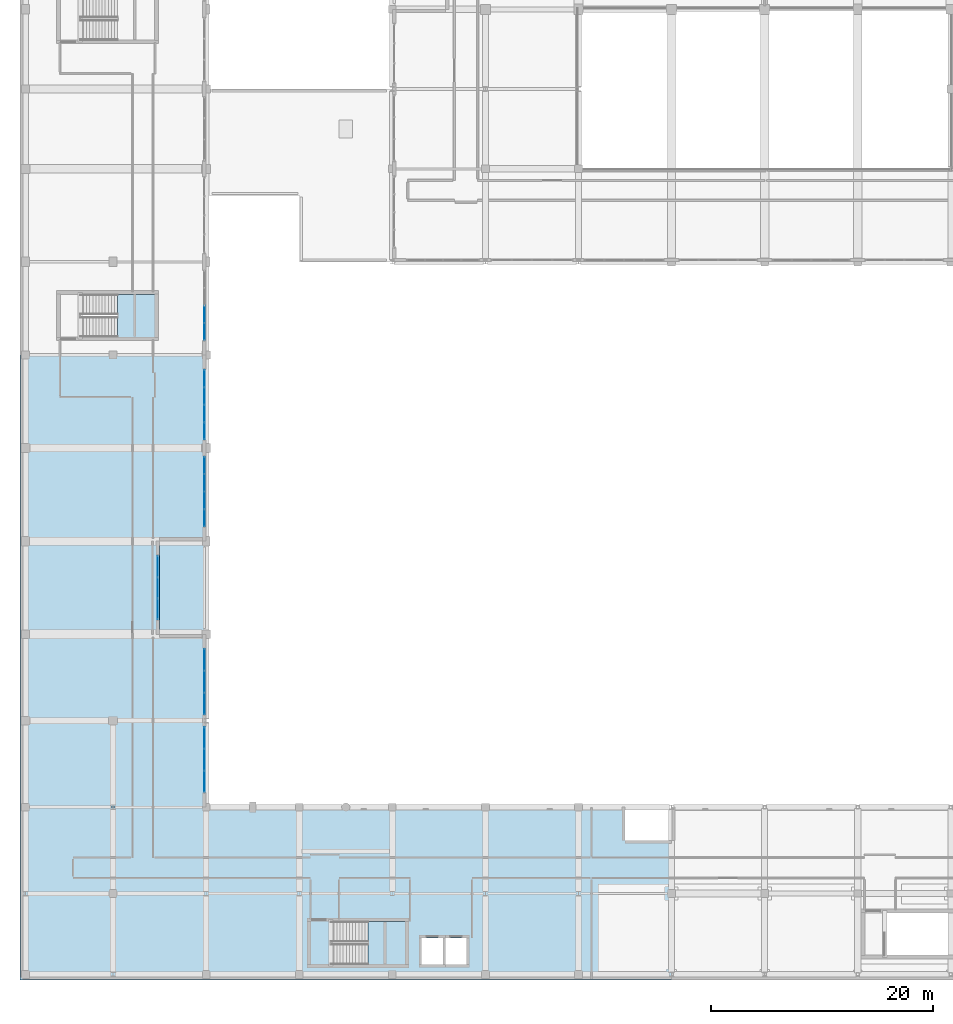
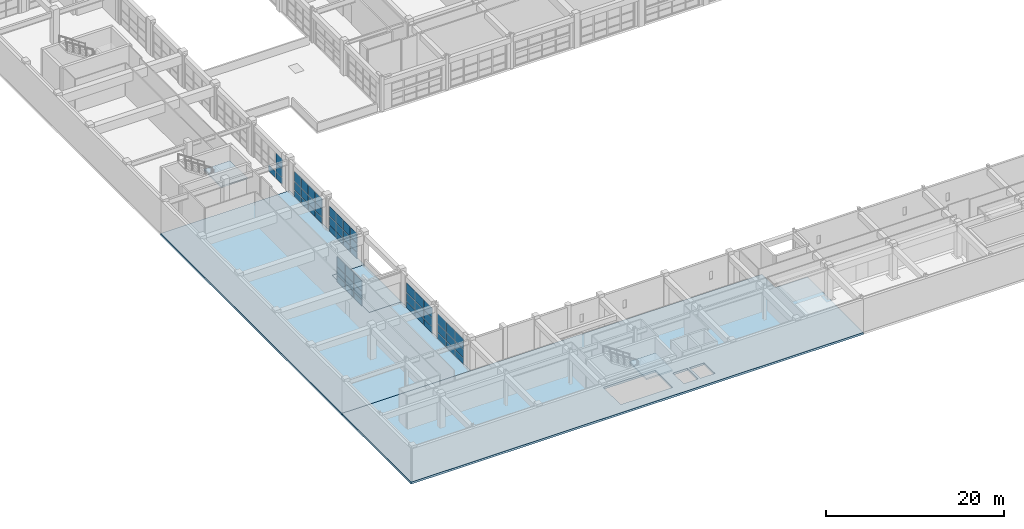
# One storey, part 89 of 123: 55 plates, 5 slabs, 8 elements without a shape of their own.
"""IFC4 building model written with IfcOpenShell, lengths in metres."""

import ifcopenshell
import ifcopenshell.guid

model = None  # the IFC model being written
_history = None  # IfcOwnerHistory: only IFC2X3 demands one
_inside = {}  # id of a spatial element -> (the spatial element, [elements in it])
_under = {}  # id of a project, library or spatial element -> (it, [spatial elements below it])
_declared = {}  # id of a project -> (the project, [libraries it declares])
_typed = {}  # id of a type object -> (the type object, [elements of that type])
_made_of = {}  # id of a material, layer set ... -> (it, [elements and type objects made of it])


def new_model(schema):
    """Start an empty IFC model of exactly this schema.

    Asked for "IFC4X3", IfcOpenShell would pick the latest addendum, in which some entities
    have other attributes; the version numbers below select the first issue.
    IFC2X3 requires an IfcOwnerHistory on every rooted entity: one is made here for all.
    """
    global model, _history
    if schema == "IFC4X3":
        model = ifcopenshell.file(schema_version=(4, 3, 0, 0))
    else:
        model = ifcopenshell.file(schema=schema)
    _inside.clear()
    _under.clear()
    _declared.clear()
    _typed.clear()
    _made_of.clear()
    _history = None
    if model.schema == "IFC2X3":
        org = make("IfcOrganization", Name="unknown")
        user = make(
            "IfcPersonAndOrganization",
            ThePerson=make("IfcPerson", FamilyName="unknown"),
            TheOrganization=org,
        )
        app = make(
            "IfcApplication",
            ApplicationDeveloper=org,
            Version="unknown",
            ApplicationFullName="unknown",
            ApplicationIdentifier="unknown",
        )
        _history = make(
            "IfcOwnerHistory",
            OwningUser=user,
            OwningApplication=app,
            ChangeAction="ADDED",
            CreationDate=0,
        )
    return model


def make(cls, **values):
    """One entity of the class cls with the attributes given. An attribute that is None is left unset."""
    return model.create_entity(
        cls, **{name: value for name, value in values.items() if value is not None}
    )


def rooted(cls, **values):
    """An entity with a GlobalId (a new one), such as an element, a storey or a relation."""
    return make(cls, GlobalId=ifcopenshell.guid.new(), OwnerHistory=_history, **values)


def si_unit(unit_type, name, prefix=None):
    """IfcSIUnit, for example si_unit("LENGTHUNIT", "METRE", prefix="MILLI")."""
    return make("IfcSIUnit", UnitType=unit_type, Prefix=prefix, Name=name)


def assignment(units):
    """IfcUnitAssignment: the units of a project."""
    return None if units is None else make("IfcUnitAssignment", Units=units)


def point(xyz):
    """IfcCartesianPoint."""
    return None if xyz is None else make("IfcCartesianPoint", Coordinates=xyz)


def direction(xyz):
    """IfcDirection."""
    return None if xyz is None else make("IfcDirection", DirectionRatios=xyz)


def frame(location, z_axis=None, x_axis=None):
    """IfcAxis2Placement3D, a coordinate frame: its origin and axes. An axis left out is left unset."""
    return make(
        "IfcAxis2Placement3D",
        Location=point(location),
        Axis=direction(z_axis),
        RefDirection=direction(x_axis),
    )


def frame_2d(location, x_axis=None):
    """IfcAxis2Placement2D, a coordinate frame in the plane: its origin and x axis."""
    return make(
        "IfcAxis2Placement2D", Location=point(location), RefDirection=direction(x_axis)
    )


def origin():
    """The frame at (0, 0, 0) with its axes left unset."""
    return frame((0.0, 0.0, 0.0))


def origin_2d():
    """The frame at (0, 0) in the plane with its x axis left unset."""
    return frame_2d((0.0, 0.0))


def place(relative_to, where):
    """IfcLocalPlacement: puts the frame where relative to a parent placement (None: the world)."""
    return make(
        "IfcLocalPlacement", PlacementRelTo=relative_to, RelativePlacement=where
    )


def context(
    kind, dimensions, precision=None, world=None, true_north=None, identifier=None
):
    """IfcGeometricRepresentationContext, for example the 3D "Model" context."""
    return make(
        "IfcGeometricRepresentationContext",
        ContextIdentifier=identifier,
        ContextType=kind,
        CoordinateSpaceDimension=dimensions,
        Precision=precision,
        WorldCoordinateSystem=world,
        TrueNorth=true_north,
    )


def subcontext(parent, identifier, kind, view, scale=None):
    """IfcGeometricRepresentationSubContext, for example "Body" below "Model"."""
    return make(
        "IfcGeometricRepresentationSubContext",
        ContextIdentifier=identifier,
        ContextType=kind,
        ParentContext=parent,
        TargetScale=scale,
        TargetView=view,
    )


def project(units=None, contexts=None):
    """IfcProject with its units and contexts."""
    return rooted(
        "IfcProject",
        Name="project",
        RepresentationContexts=contexts,
        UnitsInContext=assignment(units),
    )


def spatial(cls, under=None, at=None, **own):
    """A site, building, storey or space (cls), placed at a placement, below another one or the project."""
    s = rooted(cls, ObjectPlacement=at, **own)
    if under is not None:
        _under.setdefault(under.id(), (under, []))[1].append(s)
    return s


def polyline(points):
    """IfcPolyline through the points."""
    return make("IfcPolyline", Points=[point(p) for p in points])


def profile(cls, at=None, kind="AREA", **sizes):
    """A parametric profile (cls). Its sizes go by their IFC names, for example OverallWidth=200.0."""
    return make(cls, ProfileType=kind, Position=at, **sizes)


def rectangle(**sizes):
    """IfcRectangleProfileDef."""
    return profile("IfcRectangleProfileDef", **sizes)


def outline(outer, holes=None, kind="AREA"):
    """IfcArbitraryClosedProfileDef: a profile drawn as a closed curve; with holes, ...WithVoids."""
    if holes is None:
        return make("IfcArbitraryClosedProfileDef", ProfileType=kind, OuterCurve=outer)
    return make(
        "IfcArbitraryProfileDefWithVoids",
        ProfileType=kind,
        OuterCurve=outer,
        InnerCurves=holes,
    )


def extrude(swept, where, along, depth):
    """IfcExtrudedAreaSolid: the profile swept, set in the frame where, extruded along a direction by depth."""
    return make(
        "IfcExtrudedAreaSolid",
        SweptArea=swept,
        Position=where,
        ExtrudedDirection=direction(along),
        Depth=depth,
    )


def shape(context_of_items, identifier, shape_type, items):
    """IfcShapeRepresentation: the items that make up one representation, for example the "Body"."""
    return make(
        "IfcShapeRepresentation",
        ContextOfItems=context_of_items,
        RepresentationIdentifier=identifier,
        RepresentationType=shape_type,
        Items=items,
    )


def material(Name=None, Category=None):
    """IfcMaterial."""
    return make("IfcMaterial", Name=Name, Category=Category)


def layer(
    of_material, thickness, ventilated=None, Name=None, Category=None, Priority=None
):
    """IfcMaterialLayer: one layer of a wall or slab, of a material (None: an air gap)."""
    return make(
        "IfcMaterialLayer",
        Material=of_material,
        LayerThickness=thickness,
        IsVentilated=ventilated,
        Name=Name,
        Category=Category,
        Priority=Priority,
    )


def layer_set(layers, Name=None):
    """IfcMaterialLayerSet."""
    return make("IfcMaterialLayerSet", MaterialLayers=layers, LayerSetName=Name)


def made_of(thing, what):
    """Note that an element or type object is made of a material, layer set ...; save() writes the relation."""
    if what is not None:
        _made_of.setdefault(what.id(), (what, []))[1].append(thing)
    return thing


def type_object(cls, material=None, **own):
    """A type object (cls), such as IfcWallType, which elements share."""
    return made_of(rooted(cls, **own), material)


def element(
    cls,
    number,
    at=None,
    inside=None,
    cuts=None,
    type_object=None,
    material=None,
    context=None,
    identifier="Body",
    shape_type=None,
    held_by="IfcProductDefinitionShape",
    body=None,
    shapes=None,
    **own,
):
    """One element of the class cls, such as IfcWall. Its Tag is "e" and its number.

    at: its placement. inside: the storey or other place that contains it. cuts: it is an
    opening in that element (IfcRelVoidsElement). A single representation is given by context,
    identifier, shape_type and body (its items); several are given by shapes. held_by: the class
    of the entity that holds the representations. save() writes the other relations.
    """
    e = rooted(cls, Tag="e%d" % number, ObjectPlacement=at, **own)
    if body is not None:
        shapes = [shape(context, identifier, shape_type, body)]
    if shapes is not None:
        e.Representation = make(held_by, Representations=shapes)
    if inside is not None:
        _inside.setdefault(inside.id(), (inside, []))[1].append(e)
    if cuts is not None:
        rooted(
            "IfcRelVoidsElement", RelatingBuildingElement=cuts, RelatedOpeningElement=e
        )
    if type_object is not None:
        _typed.setdefault(type_object.id(), (type_object, []))[1].append(e)
    return made_of(e, material)


def aggregate(whole, parts):
    """IfcRelAggregates: a whole, such as a stair, and the parts it consists of."""
    return rooted("IfcRelAggregates", RelatingObject=whole, RelatedObjects=parts)


def save(model, path):
    """Write the relations noted so far, then the file.

    IfcRelAggregates (storeys below a building ...), IfcRelContainedInSpatialStructure (elements
    in a storey), IfcRelDefinesByType, IfcRelAssociatesMaterial and IfcRelDeclares: one each for
    every whole, place, type object, material and project.
    """
    for whole, parts in _under.values():
        aggregate(whole, parts)
    for where, things in _inside.values():
        rooted(
            "IfcRelContainedInSpatialStructure",
            RelatedElements=things,
            RelatingStructure=where,
        )
    for kind, things in _typed.values():
        rooted("IfcRelDefinesByType", RelatedObjects=things, RelatingType=kind)
    for what, things in _made_of.values():
        rooted("IfcRelAssociatesMaterial", RelatedObjects=things, RelatingMaterial=what)
    for by, libraries in _declared.values():
        rooted("IfcRelDeclares", RelatingContext=by, RelatedDefinitions=libraries)
    model.write(path)


model = new_model("IFC4")

# Units and contexts
model_context = context("Model", 3, precision=1e-05, world=origin(), true_north=direction((0.0, 1.0)))
body_context = subcontext(model_context, "Body", "Model", "MODEL_VIEW")
ifc_project = project(units=[si_unit("LENGTHUNIT", "METRE"), si_unit("AREAUNIT", "SQUARE_METRE"), si_unit("VOLUMEUNIT", "CUBIC_METRE"), si_unit("PLANEANGLEUNIT", "RADIAN"), si_unit("MASSUNIT", "GRAM", prefix="KILO")], contexts=[model_context])

# Site, building, storey
site_placement = place(None, origin())
site = spatial("IfcSite", under=ifc_project, at=site_placement, CompositionType="ELEMENT")
building_placement = place(site_placement, origin())
building = spatial("IfcBuilding", under=site, at=building_placement, Name="Quendrovan Civic Courthouse", CompositionType="ELEMENT")
storey_placement = place(building_placement, frame((0.0, 0.0, 5.39990234375)))
storey = spatial("IfcBuildingStorey", under=building, at=storey_placement, Name="L02", CompositionType="ELEMENT", Elevation=5.39990234375)

# Curtain wall, plates
ifc_material_1 = material(Name="Bronze anodised aluminium and low-E glass", Category="aluminium")
ifc_layer_1 = layer(ifc_material_1, 0.179931640625, Name="Bronze anodised aluminium and low-E glass")
ifc_layer_set_1 = layer_set([ifc_layer_1], Name="Bronze anodised aluminium and low-E glass")
curtain_wall_type_1 = type_object("IfcCurtainWallType", Name="CW-U58x36", PredefinedType="USERDEFINED", material=ifc_layer_set_1)
curtain_wall_1_placement = place(storey_placement, origin())
curtain_wall_1 = element("IfcCurtainWall", 1, at=curtain_wall_1_placement, inside=storey, type_object=curtain_wall_type_1, Name="L02 Unitised Hurricane Curtain Wall CW-076", ObjectType="UNITISED CURTAIN WALL", PredefinedType="USERDEFINED")
ifc_material_2 = material(Name="Laminated hurricane-impact low-E glass", Category="glass")
ifc_layer_2 = layer(ifc_material_2, 0.028076171875, Name="Laminated hurricane-impact low-E glass")
ifc_layer_set_2 = layer_set([ifc_layer_2], Name="Laminated hurricane-impact low-E glass")
plate_type_1 = type_object("IfcPlateType", Name="CW-PNL-1", PredefinedType="CURTAIN_PANEL", material=ifc_layer_set_2)
plate_1_placement = place(storey_placement, frame((12.43505859375, 37.31591796875, 0.0703125), z_axis=(0.0, 0.0, 1.0), x_axis=(0.0, -1.0, 0.0)))
plate_1 = element("IfcPlate", 2, at=plate_1_placement, type_object=plate_type_1, Name="CW-076 panel 1.1", PredefinedType="CURTAIN_PANEL", context=body_context, shape_type="SweptSolid", body=[
    extrude(rectangle(XDim=1.828369140625, YDim=0.028076171875, at=origin_2d()), origin(), (0.0, 0.0, 1.0), 0.844970703125),
])
plate_2_placement = place(storey_placement, frame((12.43505859375, 37.31591796875, 0.985107421875), z_axis=(0.0, 0.0, 1.0), x_axis=(0.0, -1.0, 0.0)))
plate_2 = element("IfcPlate", 3, at=plate_2_placement, type_object=plate_type_1, Name="CW-076 panel 1.2", PredefinedType="CURTAIN_PANEL", context=body_context, shape_type="SweptSolid", body=[
    extrude(rectangle(XDim=1.828369140625, YDim=0.028076171875, at=origin_2d()), origin(), (0.0, 0.0, 1.0), 1.1298828125),
])
plate_3_placement = place(storey_placement, frame((12.43505859375, 37.31591796875, 2.18505859375), z_axis=(0.0, 0.0, 1.0), x_axis=(0.0, -1.0, 0.0)))
plate_3 = element("IfcPlate", 4, at=plate_3_placement, type_object=plate_type_1, Name="CW-076 panel 1.3", PredefinedType="CURTAIN_PANEL", context=body_context, shape_type="SweptSolid", body=[
    extrude(rectangle(XDim=1.828369140625, YDim=0.028076171875, at=origin_2d()), origin(), (0.0, 0.0, 1.0), 1.344970703125),
])
plate_4_placement = place(storey_placement, frame((12.43505859375, 35.39990234375, 0.0703125), z_axis=(0.0, 0.0, 1.0), x_axis=(0.0, -1.0, 0.0)))
plate_4 = element("IfcPlate", 5, at=plate_4_placement, type_object=plate_type_1, Name="CW-076 panel 2.1", PredefinedType="CURTAIN_PANEL", context=body_context, shape_type="SweptSolid", body=[
    extrude(rectangle(XDim=1.86328125, YDim=0.028076171875, at=origin_2d()), origin(), (0.0, 0.0, 1.0), 0.844970703125),
])
plate_5_placement = place(storey_placement, frame((12.43505859375, 35.39990234375, 0.985107421875), z_axis=(0.0, 0.0, 1.0), x_axis=(0.0, -1.0, 0.0)))
plate_5 = element("IfcPlate", 6, at=plate_5_placement, type_object=plate_type_1, Name="CW-076 panel 2.2", PredefinedType="CURTAIN_PANEL", context=body_context, shape_type="SweptSolid", body=[
    extrude(rectangle(XDim=1.86328125, YDim=0.028076171875, at=origin_2d()), origin(), (0.0, 0.0, 1.0), 1.1298828125),
])
plate_6_placement = place(storey_placement, frame((12.43505859375, 35.39990234375, 2.18505859375), z_axis=(0.0, 0.0, 1.0), x_axis=(0.0, -1.0, 0.0)))
plate_6 = element("IfcPlate", 7, at=plate_6_placement, type_object=plate_type_1, Name="CW-076 panel 2.3", PredefinedType="CURTAIN_PANEL", context=body_context, shape_type="SweptSolid", body=[
    extrude(rectangle(XDim=1.86328125, YDim=0.028076171875, at=origin_2d()), origin(), (0.0, 0.0, 1.0), 1.344970703125),
])
plate_7_placement = place(storey_placement, frame((12.43505859375, 33.484130859375, 0.0703125), z_axis=(0.0, 0.0, 1.0), x_axis=(0.0, -1.0, 0.0)))
plate_7 = element("IfcPlate", 8, at=plate_7_placement, type_object=plate_type_1, Name="CW-076 panel 3.1", PredefinedType="CURTAIN_PANEL", context=body_context, shape_type="SweptSolid", body=[
    extrude(rectangle(XDim=1.828369140625, YDim=0.028076171875, at=origin_2d()), origin(), (0.0, 0.0, 1.0), 0.844970703125),
])
plate_8_placement = place(storey_placement, frame((12.43505859375, 33.484130859375, 0.985107421875), z_axis=(0.0, 0.0, 1.0), x_axis=(0.0, -1.0, 0.0)))
plate_8 = element("IfcPlate", 9, at=plate_8_placement, type_object=plate_type_1, Name="CW-076 panel 3.2", PredefinedType="CURTAIN_PANEL", context=body_context, shape_type="SweptSolid", body=[
    extrude(rectangle(XDim=1.828369140625, YDim=0.028076171875, at=origin_2d()), origin(), (0.0, 0.0, 1.0), 1.1298828125),
])
plate_9_placement = place(storey_placement, frame((12.43505859375, 33.484130859375, 2.18505859375), z_axis=(0.0, 0.0, 1.0), x_axis=(0.0, -1.0, 0.0)))
plate_9 = element("IfcPlate", 10, at=plate_9_placement, type_object=plate_type_1, Name="CW-076 panel 3.3", PredefinedType="CURTAIN_PANEL", context=body_context, shape_type="SweptSolid", body=[
    extrude(rectangle(XDim=1.828369140625, YDim=0.028076171875, at=origin_2d()), origin(), (0.0, 0.0, 1.0), 1.344970703125),
])
aggregate(curtain_wall_1, [plate_1, plate_2, plate_3, plate_4, plate_5, plate_6, plate_7, plate_8, plate_9])

ifc_layer_3 = layer(ifc_material_1, 0.179931640625, Name="Bronze anodised aluminium and low-E glass")
ifc_layer_set_3 = layer_set([ifc_layer_3], Name="Bronze anodised aluminium and low-E glass")
curtain_wall_type_2 = type_object("IfcCurtainWallType", Name="CW-U63x36", PredefinedType="USERDEFINED", material=ifc_layer_set_3)
curtain_wall_2_placement = place(storey_placement, origin())
curtain_wall_2 = element("IfcCurtainWall", 11, at=curtain_wall_2_placement, inside=storey, type_object=curtain_wall_type_2, Name="L02 Unitised Hurricane Curtain Wall CW-073", ObjectType="UNITISED CURTAIN WALL", PredefinedType="USERDEFINED")
ifc_layer_4 = layer(ifc_material_2, 0.031982421875, Name="Laminated hurricane-impact low-E glass")
ifc_layer_set_4 = layer_set([ifc_layer_4], Name="Laminated hurricane-impact low-E glass")
plate_type_2 = type_object("IfcPlateType", Name="CW-PNL-2", PredefinedType="CURTAIN_PANEL", material=ifc_layer_set_4)
plate_10_placement = place(storey_placement, frame((16.635009765625, 60.07177734375, 0.065185546875), z_axis=(0.0, 0.0, 1.0), x_axis=(0.0, -1.0, 0.0)))
plate_10 = element("IfcPlate", 12, at=plate_10_placement, type_object=plate_type_2, Name="CW-073 panel 3.1", PredefinedType="CURTAIN_PANEL", context=body_context, shape_type="SweptSolid", body=[
    extrude(rectangle(XDim=1.516357421875, YDim=0.031982421875, at=origin_2d()), origin(), (0.0, 0.0, 1.0), 0.8525390625),
])
plate_11_placement = place(storey_placement, frame((16.635009765625, 58.5068359375, 0.065185546875), z_axis=(0.0, 0.0, 1.0), x_axis=(0.0, -1.0, 0.0)))
plate_11 = element("IfcPlate", 13, at=plate_11_placement, type_object=plate_type_2, Name="CW-073 panel 4.1", PredefinedType="CURTAIN_PANEL", context=body_context, shape_type="SweptSolid", body=[
    extrude(rectangle(XDim=1.483642578125, YDim=0.031982421875, at=origin_2d()), origin(), (0.0, 0.0, 1.0), 0.8525390625),
])
plate_12_placement = place(storey_placement, frame((16.635009765625, 58.5068359375, 0.982421875), z_axis=(0.0, 0.0, 1.0), x_axis=(0.0, -1.0, 0.0)))
plate_12 = element("IfcPlate", 14, at=plate_12_placement, type_object=plate_type_2, Name="CW-073 panel 4.2", PredefinedType="CURTAIN_PANEL", context=body_context, shape_type="SweptSolid", body=[
    extrude(rectangle(XDim=1.483642578125, YDim=0.031982421875, at=origin_2d()), origin(), (0.0, 0.0, 1.0), 1.135009765625),
])
plate_13_placement = place(storey_placement, frame((16.635009765625, 58.5068359375, 2.1826171875), z_axis=(0.0, 0.0, 1.0), x_axis=(0.0, -1.0, 0.0)))
plate_13 = element("IfcPlate", 15, at=plate_13_placement, type_object=plate_type_2, Name="CW-073 panel 4.3", PredefinedType="CURTAIN_PANEL", context=body_context, shape_type="SweptSolid", body=[
    extrude(rectangle(XDim=1.483642578125, YDim=0.031982421875, at=origin_2d()), origin(), (0.0, 0.0, 1.0), 1.3525390625),
])
aggregate(curtain_wall_2, [plate_10, plate_11, plate_12, plate_13])

ifc_layer_5 = layer(ifc_material_1, 0.179931640625, Name="Bronze anodised aluminium and low-E glass")
ifc_layer_set_5 = layer_set([ifc_layer_5], Name="Bronze anodised aluminium and low-E glass")
curtain_wall_type_3 = type_object("IfcCurtainWallType", Name="CW-U60x36", PredefinedType="USERDEFINED", material=ifc_layer_set_5)
curtain_wall_3_placement = place(storey_placement, origin())
curtain_wall_3 = element("IfcCurtainWall", 16, at=curtain_wall_3_placement, inside=storey, type_object=curtain_wall_type_3, Name="L02 Unitised Hurricane Curtain Wall CW-077", ObjectType="UNITISED CURTAIN WALL", PredefinedType="USERDEFINED")
plate_14_placement = place(storey_placement, frame((16.635009765625, 28.889892578125, 0.065185546875), z_axis=(0.0, 0.0, 1.0), x_axis=(0.0, -1.0, 0.0)))
plate_14 = element("IfcPlate", 17, at=plate_14_placement, type_object=plate_type_2, Name="CW-077 panel 1.1", PredefinedType="CURTAIN_PANEL", context=body_context, shape_type="SweptSolid", body=[
    extrude(rectangle(XDim=1.89013671875, YDim=0.031982421875, at=origin_2d()), origin(), (0.0, 0.0, 1.0), 0.8525390625),
])
plate_15_placement = place(storey_placement, frame((16.635009765625, 28.889892578125, 0.982421875), z_axis=(0.0, 0.0, 1.0), x_axis=(0.0, -1.0, 0.0)))
plate_15 = element("IfcPlate", 18, at=plate_15_placement, type_object=plate_type_2, Name="CW-077 panel 1.2", PredefinedType="CURTAIN_PANEL", context=body_context, shape_type="SweptSolid", body=[
    extrude(rectangle(XDim=1.89013671875, YDim=0.031982421875, at=origin_2d()), origin(), (0.0, 0.0, 1.0), 1.135009765625),
])
plate_16_placement = place(storey_placement, frame((16.635009765625, 28.889892578125, 2.1826171875), z_axis=(0.0, 0.0, 1.0), x_axis=(0.0, -1.0, 0.0)))
plate_16 = element("IfcPlate", 19, at=plate_16_placement, type_object=plate_type_2, Name="CW-077 panel 1.3", PredefinedType="CURTAIN_PANEL", context=body_context, shape_type="SweptSolid", body=[
    extrude(rectangle(XDim=1.89013671875, YDim=0.031982421875, at=origin_2d()), origin(), (0.0, 0.0, 1.0), 1.3525390625),
])
plate_17_placement = place(storey_placement, frame((16.635009765625, 26.91845703125, 0.065185546875), z_axis=(0.0, 0.0, 1.0), x_axis=(0.0, -1.0, 0.0)))
plate_17 = element("IfcPlate", 20, at=plate_17_placement, type_object=plate_type_2, Name="CW-077 panel 2.1", PredefinedType="CURTAIN_PANEL", context=body_context, shape_type="SweptSolid", body=[
    extrude(rectangle(XDim=1.922607421875, YDim=0.031982421875, at=origin_2d()), origin(), (0.0, 0.0, 1.0), 0.8525390625),
])
plate_18_placement = place(storey_placement, frame((16.635009765625, 26.91845703125, 0.982421875), z_axis=(0.0, 0.0, 1.0), x_axis=(0.0, -1.0, 0.0)))
plate_18 = element("IfcPlate", 21, at=plate_18_placement, type_object=plate_type_2, Name="CW-077 panel 2.2", PredefinedType="CURTAIN_PANEL", context=body_context, shape_type="SweptSolid", body=[
    extrude(rectangle(XDim=1.922607421875, YDim=0.031982421875, at=origin_2d()), origin(), (0.0, 0.0, 1.0), 1.135009765625),
])
plate_19_placement = place(storey_placement, frame((16.635009765625, 26.91845703125, 2.1826171875), z_axis=(0.0, 0.0, 1.0), x_axis=(0.0, -1.0, 0.0)))
plate_19 = element("IfcPlate", 22, at=plate_19_placement, type_object=plate_type_2, Name="CW-077 panel 2.3", PredefinedType="CURTAIN_PANEL", context=body_context, shape_type="SweptSolid", body=[
    extrude(rectangle(XDim=1.922607421875, YDim=0.031982421875, at=origin_2d()), origin(), (0.0, 0.0, 1.0), 1.3525390625),
])
plate_20_placement = place(storey_placement, frame((16.635009765625, 24.947021484375, 0.065185546875), z_axis=(0.0, 0.0, 1.0), x_axis=(0.0, -1.0, 0.0)))
plate_20 = element("IfcPlate", 23, at=plate_20_placement, type_object=plate_type_2, Name="CW-077 panel 3.1", PredefinedType="CURTAIN_PANEL", context=body_context, shape_type="SweptSolid", body=[
    extrude(rectangle(XDim=1.89013671875, YDim=0.031982421875, at=origin_2d()), origin(), (0.0, 0.0, 1.0), 0.8525390625),
])
plate_21_placement = place(storey_placement, frame((16.635009765625, 24.947021484375, 0.982421875), z_axis=(0.0, 0.0, 1.0), x_axis=(0.0, -1.0, 0.0)))
plate_21 = element("IfcPlate", 24, at=plate_21_placement, type_object=plate_type_2, Name="CW-077 panel 3.2", PredefinedType="CURTAIN_PANEL", context=body_context, shape_type="SweptSolid", body=[
    extrude(rectangle(XDim=1.89013671875, YDim=0.031982421875, at=origin_2d()), origin(), (0.0, 0.0, 1.0), 1.135009765625),
])
plate_22_placement = place(storey_placement, frame((16.635009765625, 24.947021484375, 2.1826171875), z_axis=(0.0, 0.0, 1.0), x_axis=(0.0, -1.0, 0.0)))
plate_22 = element("IfcPlate", 25, at=plate_22_placement, type_object=plate_type_2, Name="CW-077 panel 3.3", PredefinedType="CURTAIN_PANEL", context=body_context, shape_type="SweptSolid", body=[
    extrude(rectangle(XDim=1.89013671875, YDim=0.031982421875, at=origin_2d()), origin(), (0.0, 0.0, 1.0), 1.3525390625),
])
aggregate(curtain_wall_3, [plate_14, plate_15, plate_16, plate_17, plate_18, plate_19, plate_20, plate_21, plate_22])

ifc_layer_6 = layer(ifc_material_1, 0.179931640625, Name="Bronze anodised aluminium and low-E glass")
ifc_layer_set_6 = layer_set([ifc_layer_6], Name="Bronze anodised aluminium and low-E glass")
curtain_wall_type_4 = type_object("IfcCurtainWallType", Name="CW-U64x36", PredefinedType="USERDEFINED", material=ifc_layer_set_6)
curtain_wall_4_placement = place(storey_placement, origin())
curtain_wall_4 = element("IfcCurtainWall", 26, at=curtain_wall_4_placement, inside=storey, type_object=curtain_wall_type_4, Name="L02 Unitised Hurricane Curtain Wall CW-074", ObjectType="UNITISED CURTAIN WALL", PredefinedType="USERDEFINED")
ifc_layer_7 = layer(ifc_material_2, 0.035888671875, Name="Laminated hurricane-impact low-E glass")
ifc_layer_set_7 = layer_set([ifc_layer_7], Name="Laminated hurricane-impact low-E glass")
plate_type_3 = type_object("IfcPlateType", Name="CW-PNL-3", PredefinedType="CURTAIN_PANEL", material=ifc_layer_set_7)
plate_23_placement = place(storey_placement, frame((16.635009765625, 54.288818359375, 0.0703125), z_axis=(0.0, 0.0, 1.0), x_axis=(0.0, -1.0, 0.0)))
plate_23 = element("IfcPlate", 27, at=plate_23_placement, type_object=plate_type_3, Name="CW-074 panel 1.1", PredefinedType="CURTAIN_PANEL", context=body_context, shape_type="SweptSolid", body=[
    extrude(rectangle(XDim=1.482421875, YDim=0.035888671875, at=origin_2d()), origin(), (0.0, 0.0, 1.0), 0.844970703125),
])
plate_24_placement = place(storey_placement, frame((16.635009765625, 54.288818359375, 0.985107421875), z_axis=(0.0, 0.0, 1.0), x_axis=(0.0, -1.0, 0.0)))
plate_24 = element("IfcPlate", 28, at=plate_24_placement, type_object=plate_type_3, Name="CW-074 panel 1.2", PredefinedType="CURTAIN_PANEL", context=body_context, shape_type="SweptSolid", body=[
    extrude(rectangle(XDim=1.482421875, YDim=0.035888671875, at=origin_2d()), origin(), (0.0, 0.0, 1.0), 1.1298828125),
])
plate_25_placement = place(storey_placement, frame((16.635009765625, 54.288818359375, 2.18505859375), z_axis=(0.0, 0.0, 1.0), x_axis=(0.0, -1.0, 0.0)))
plate_25 = element("IfcPlate", 29, at=plate_25_placement, type_object=plate_type_3, Name="CW-074 panel 1.3", PredefinedType="CURTAIN_PANEL", context=body_context, shape_type="SweptSolid", body=[
    extrude(rectangle(XDim=1.482421875, YDim=0.035888671875, at=origin_2d()), origin(), (0.0, 0.0, 1.0), 1.344970703125),
])
plate_26_placement = place(storey_placement, frame((16.635009765625, 52.71875, 0.0703125), z_axis=(0.0, 0.0, 1.0), x_axis=(0.0, -1.0, 0.0)))
plate_26 = element("IfcPlate", 30, at=plate_26_placement, type_object=plate_type_3, Name="CW-074 panel 2.1", PredefinedType="CURTAIN_PANEL", context=body_context, shape_type="SweptSolid", body=[
    extrude(rectangle(XDim=1.517578125, YDim=0.035888671875, at=origin_2d()), origin(), (0.0, 0.0, 1.0), 0.844970703125),
])
plate_27_placement = place(storey_placement, frame((16.635009765625, 52.71875, 0.985107421875), z_axis=(0.0, 0.0, 1.0), x_axis=(0.0, -1.0, 0.0)))
plate_27 = element("IfcPlate", 31, at=plate_27_placement, type_object=plate_type_3, Name="CW-074 panel 2.2", PredefinedType="CURTAIN_PANEL", context=body_context, shape_type="SweptSolid", body=[
    extrude(rectangle(XDim=1.517578125, YDim=0.035888671875, at=origin_2d()), origin(), (0.0, 0.0, 1.0), 1.1298828125),
])
plate_28_placement = place(storey_placement, frame((16.635009765625, 52.71875, 2.18505859375), z_axis=(0.0, 0.0, 1.0), x_axis=(0.0, -1.0, 0.0)))
plate_28 = element("IfcPlate", 32, at=plate_28_placement, type_object=plate_type_3, Name="CW-074 panel 2.3", PredefinedType="CURTAIN_PANEL", context=body_context, shape_type="SweptSolid", body=[
    extrude(rectangle(XDim=1.517578125, YDim=0.035888671875, at=origin_2d()), origin(), (0.0, 0.0, 1.0), 1.344970703125),
])
plate_29_placement = place(storey_placement, frame((16.635009765625, 51.13134765625, 0.0703125), z_axis=(0.0, 0.0, 1.0), x_axis=(0.0, -1.0, 0.0)))
plate_29 = element("IfcPlate", 33, at=plate_29_placement, type_object=plate_type_3, Name="CW-074 panel 3.1", PredefinedType="CURTAIN_PANEL", context=body_context, shape_type="SweptSolid", body=[
    extrude(rectangle(XDim=1.517578125, YDim=0.035888671875, at=origin_2d()), origin(), (0.0, 0.0, 1.0), 0.844970703125),
])
plate_30_placement = place(storey_placement, frame((16.635009765625, 51.13134765625, 0.985107421875), z_axis=(0.0, 0.0, 1.0), x_axis=(0.0, -1.0, 0.0)))
plate_30 = element("IfcPlate", 34, at=plate_30_placement, type_object=plate_type_3, Name="CW-074 panel 3.2", PredefinedType="CURTAIN_PANEL", context=body_context, shape_type="SweptSolid", body=[
    extrude(rectangle(XDim=1.517578125, YDim=0.035888671875, at=origin_2d()), origin(), (0.0, 0.0, 1.0), 1.1298828125),
])
plate_31_placement = place(storey_placement, frame((16.635009765625, 51.13134765625, 2.18505859375), z_axis=(0.0, 0.0, 1.0), x_axis=(0.0, -1.0, 0.0)))
plate_31 = element("IfcPlate", 35, at=plate_31_placement, type_object=plate_type_3, Name="CW-074 panel 3.3", PredefinedType="CURTAIN_PANEL", context=body_context, shape_type="SweptSolid", body=[
    extrude(rectangle(XDim=1.517578125, YDim=0.035888671875, at=origin_2d()), origin(), (0.0, 0.0, 1.0), 1.344970703125),
])
plate_32_placement = place(storey_placement, frame((16.635009765625, 49.561279296875, 0.0703125), z_axis=(0.0, 0.0, 1.0), x_axis=(0.0, -1.0, 0.0)))
plate_32 = element("IfcPlate", 36, at=plate_32_placement, type_object=plate_type_3, Name="CW-074 panel 4.1", PredefinedType="CURTAIN_PANEL", context=body_context, shape_type="SweptSolid", body=[
    extrude(rectangle(XDim=1.482421875, YDim=0.035888671875, at=origin_2d()), origin(), (0.0, 0.0, 1.0), 0.844970703125),
])
plate_33_placement = place(storey_placement, frame((16.635009765625, 49.561279296875, 0.985107421875), z_axis=(0.0, 0.0, 1.0), x_axis=(0.0, -1.0, 0.0)))
plate_33 = element("IfcPlate", 37, at=plate_33_placement, type_object=plate_type_3, Name="CW-074 panel 4.2", PredefinedType="CURTAIN_PANEL", context=body_context, shape_type="SweptSolid", body=[
    extrude(rectangle(XDim=1.482421875, YDim=0.035888671875, at=origin_2d()), origin(), (0.0, 0.0, 1.0), 1.1298828125),
])
plate_34_placement = place(storey_placement, frame((16.635009765625, 49.561279296875, 2.18505859375), z_axis=(0.0, 0.0, 1.0), x_axis=(0.0, -1.0, 0.0)))
plate_34 = element("IfcPlate", 38, at=plate_34_placement, type_object=plate_type_3, Name="CW-074 panel 4.3", PredefinedType="CURTAIN_PANEL", context=body_context, shape_type="SweptSolid", body=[
    extrude(rectangle(XDim=1.482421875, YDim=0.035888671875, at=origin_2d()), origin(), (0.0, 0.0, 1.0), 1.344970703125),
])
aggregate(curtain_wall_4, [plate_23, plate_24, plate_25, plate_26, plate_27, plate_28, plate_29, plate_30, plate_31, plate_32, plate_33, plate_34])

curtain_wall_5_placement = place(storey_placement, origin())
curtain_wall_5 = element("IfcCurtainWall", 39, at=curtain_wall_5_placement, inside=storey, type_object=curtain_wall_type_3, Name="L02 Unitised Hurricane Curtain Wall CW-078", ObjectType="UNITISED CURTAIN WALL", PredefinedType="USERDEFINED")
plate_35_placement = place(storey_placement, frame((16.635009765625, 21.8515625, 0.0703125), z_axis=(0.0, 0.0, 1.0), x_axis=(0.0, -1.0, 0.0)))
plate_35 = element("IfcPlate", 40, at=plate_35_placement, type_object=plate_type_3, Name="CW-078 panel 1.1", PredefinedType="CURTAIN_PANEL", context=body_context, shape_type="SweptSolid", body=[
    extrude(rectangle(XDim=1.882568359375, YDim=0.035888671875, at=origin_2d()), origin(), (0.0, 0.0, 1.0), 0.844970703125),
])
plate_36_placement = place(storey_placement, frame((16.635009765625, 21.8515625, 0.985107421875), z_axis=(0.0, 0.0, 1.0), x_axis=(0.0, -1.0, 0.0)))
plate_36 = element("IfcPlate", 41, at=plate_36_placement, type_object=plate_type_3, Name="CW-078 panel 1.2", PredefinedType="CURTAIN_PANEL", context=body_context, shape_type="SweptSolid", body=[
    extrude(rectangle(XDim=1.882568359375, YDim=0.035888671875, at=origin_2d()), origin(), (0.0, 0.0, 1.0), 1.1298828125),
])
plate_37_placement = place(storey_placement, frame((16.635009765625, 21.8515625, 2.18505859375), z_axis=(0.0, 0.0, 1.0), x_axis=(0.0, -1.0, 0.0)))
plate_37 = element("IfcPlate", 42, at=plate_37_placement, type_object=plate_type_3, Name="CW-078 panel 1.3", PredefinedType="CURTAIN_PANEL", context=body_context, shape_type="SweptSolid", body=[
    extrude(rectangle(XDim=1.882568359375, YDim=0.035888671875, at=origin_2d()), origin(), (0.0, 0.0, 1.0), 1.344970703125),
])
plate_38_placement = place(storey_placement, frame((16.635009765625, 19.881591796875, 0.0703125), z_axis=(0.0, 0.0, 1.0), x_axis=(0.0, -1.0, 0.0)))
plate_38 = element("IfcPlate", 43, at=plate_38_placement, type_object=plate_type_3, Name="CW-078 panel 2.1", PredefinedType="CURTAIN_PANEL", context=body_context, shape_type="SweptSolid", body=[
    extrude(rectangle(XDim=1.917724609375, YDim=0.035888671875, at=origin_2d()), origin(), (0.0, 0.0, 1.0), 0.844970703125),
])
plate_39_placement = place(storey_placement, frame((16.635009765625, 19.881591796875, 0.985107421875), z_axis=(0.0, 0.0, 1.0), x_axis=(0.0, -1.0, 0.0)))
plate_39 = element("IfcPlate", 44, at=plate_39_placement, type_object=plate_type_3, Name="CW-078 panel 2.2", PredefinedType="CURTAIN_PANEL", context=body_context, shape_type="SweptSolid", body=[
    extrude(rectangle(XDim=1.917724609375, YDim=0.035888671875, at=origin_2d()), origin(), (0.0, 0.0, 1.0), 1.1298828125),
])
plate_40_placement = place(storey_placement, frame((16.635009765625, 19.881591796875, 2.18505859375), z_axis=(0.0, 0.0, 1.0), x_axis=(0.0, -1.0, 0.0)))
plate_40 = element("IfcPlate", 45, at=plate_40_placement, type_object=plate_type_3, Name="CW-078 panel 2.3", PredefinedType="CURTAIN_PANEL", context=body_context, shape_type="SweptSolid", body=[
    extrude(rectangle(XDim=1.917724609375, YDim=0.035888671875, at=origin_2d()), origin(), (0.0, 0.0, 1.0), 1.344970703125),
])
plate_41_placement = place(storey_placement, frame((16.635009765625, 17.911376953125, 0.0703125), z_axis=(0.0, 0.0, 1.0), x_axis=(0.0, -1.0, 0.0)))
plate_41 = element("IfcPlate", 46, at=plate_41_placement, type_object=plate_type_3, Name="CW-078 panel 3.1", PredefinedType="CURTAIN_PANEL", context=body_context, shape_type="SweptSolid", body=[
    extrude(rectangle(XDim=1.882568359375, YDim=0.035888671875, at=origin_2d()), origin(), (0.0, 0.0, 1.0), 0.844970703125),
])
plate_42_placement = place(storey_placement, frame((16.635009765625, 17.911376953125, 0.985107421875), z_axis=(0.0, 0.0, 1.0), x_axis=(0.0, -1.0, 0.0)))
plate_42 = element("IfcPlate", 47, at=plate_42_placement, type_object=plate_type_3, Name="CW-078 panel 3.2", PredefinedType="CURTAIN_PANEL", context=body_context, shape_type="SweptSolid", body=[
    extrude(rectangle(XDim=1.882568359375, YDim=0.035888671875, at=origin_2d()), origin(), (0.0, 0.0, 1.0), 1.1298828125),
])
plate_43_placement = place(storey_placement, frame((16.635009765625, 17.911376953125, 2.18505859375), z_axis=(0.0, 0.0, 1.0), x_axis=(0.0, -1.0, 0.0)))
plate_43 = element("IfcPlate", 48, at=plate_43_placement, type_object=plate_type_3, Name="CW-078 panel 3.3", PredefinedType="CURTAIN_PANEL", context=body_context, shape_type="SweptSolid", body=[
    extrude(rectangle(XDim=1.882568359375, YDim=0.035888671875, at=origin_2d()), origin(), (0.0, 0.0, 1.0), 1.344970703125),
])
aggregate(curtain_wall_5, [plate_35, plate_36, plate_37, plate_38, plate_39, plate_40, plate_41, plate_42, plate_43])

curtain_wall_6_placement = place(storey_placement, origin())
curtain_wall_6 = element("IfcCurtainWall", 49, at=curtain_wall_6_placement, inside=storey, type_object=curtain_wall_type_4, Name="L02 Unitised Hurricane Curtain Wall CW-075", ObjectType="UNITISED CURTAIN WALL", PredefinedType="USERDEFINED")
ifc_layer_8 = layer(ifc_material_2, 0.0419921875, Name="Laminated hurricane-impact low-E glass")
ifc_layer_set_8 = layer_set([ifc_layer_8], Name="Laminated hurricane-impact low-E glass")
plate_type_4 = type_object("IfcPlateType", Name="CW-PNL-4", PredefinedType="CURTAIN_PANEL", material=ifc_layer_set_8)
plate_44_placement = place(storey_placement, frame((16.635009765625, 46.43994140625, 0.065185546875), z_axis=(0.0, 0.0, 1.0), x_axis=(0.0, -1.0, 0.0)))
plate_44 = element("IfcPlate", 50, at=plate_44_placement, type_object=plate_type_4, Name="CW-075 panel 1.1", PredefinedType="CURTAIN_PANEL", context=body_context, shape_type="SweptSolid", body=[
    extrude(rectangle(XDim=1.489990234375, YDim=0.0419921875, at=origin_2d()), origin(), (0.0, 0.0, 1.0), 0.8525390625),
])
plate_45_placement = place(storey_placement, frame((16.635009765625, 46.43994140625, 0.982421875), z_axis=(0.0, 0.0, 1.0), x_axis=(0.0, -1.0, 0.0)))
plate_45 = element("IfcPlate", 51, at=plate_45_placement, type_object=plate_type_4, Name="CW-075 panel 1.2", PredefinedType="CURTAIN_PANEL", context=body_context, shape_type="SweptSolid", body=[
    extrude(rectangle(XDim=1.489990234375, YDim=0.0419921875, at=origin_2d()), origin(), (0.0, 0.0, 1.0), 1.135009765625),
])
plate_46_placement = place(storey_placement, frame((16.635009765625, 46.43994140625, 2.1826171875), z_axis=(0.0, 0.0, 1.0), x_axis=(0.0, -1.0, 0.0)))
plate_46 = element("IfcPlate", 52, at=plate_46_placement, type_object=plate_type_4, Name="CW-075 panel 1.3", PredefinedType="CURTAIN_PANEL", context=body_context, shape_type="SweptSolid", body=[
    extrude(rectangle(XDim=1.489990234375, YDim=0.0419921875, at=origin_2d()), origin(), (0.0, 0.0, 1.0), 1.3525390625),
])
plate_47_placement = place(storey_placement, frame((16.635009765625, 44.86865234375, 0.065185546875), z_axis=(0.0, 0.0, 1.0), x_axis=(0.0, -1.0, 0.0)))
plate_47 = element("IfcPlate", 53, at=plate_47_placement, type_object=plate_type_4, Name="CW-075 panel 2.1", PredefinedType="CURTAIN_PANEL", context=body_context, shape_type="SweptSolid", body=[
    extrude(rectangle(XDim=1.5224609375, YDim=0.0419921875, at=origin_2d()), origin(), (0.0, 0.0, 1.0), 0.8525390625),
])
plate_48_placement = place(storey_placement, frame((16.635009765625, 44.86865234375, 0.982421875), z_axis=(0.0, 0.0, 1.0), x_axis=(0.0, -1.0, 0.0)))
plate_48 = element("IfcPlate", 54, at=plate_48_placement, type_object=plate_type_4, Name="CW-075 panel 2.2", PredefinedType="CURTAIN_PANEL", context=body_context, shape_type="SweptSolid", body=[
    extrude(rectangle(XDim=1.5224609375, YDim=0.0419921875, at=origin_2d()), origin(), (0.0, 0.0, 1.0), 1.135009765625),
])
plate_49_placement = place(storey_placement, frame((16.635009765625, 44.86865234375, 2.1826171875), z_axis=(0.0, 0.0, 1.0), x_axis=(0.0, -1.0, 0.0)))
plate_49 = element("IfcPlate", 55, at=plate_49_placement, type_object=plate_type_4, Name="CW-075 panel 2.3", PredefinedType="CURTAIN_PANEL", context=body_context, shape_type="SweptSolid", body=[
    extrude(rectangle(XDim=1.5224609375, YDim=0.0419921875, at=origin_2d()), origin(), (0.0, 0.0, 1.0), 1.3525390625),
])
plate_50_placement = place(storey_placement, frame((16.635009765625, 43.28125, 0.065185546875), z_axis=(0.0, 0.0, 1.0), x_axis=(0.0, -1.0, 0.0)))
plate_50 = element("IfcPlate", 56, at=plate_50_placement, type_object=plate_type_4, Name="CW-075 panel 3.1", PredefinedType="CURTAIN_PANEL", context=body_context, shape_type="SweptSolid", body=[
    extrude(rectangle(XDim=1.5224609375, YDim=0.0419921875, at=origin_2d()), origin(), (0.0, 0.0, 1.0), 0.8525390625),
])
plate_51_placement = place(storey_placement, frame((16.635009765625, 43.28125, 0.982421875), z_axis=(0.0, 0.0, 1.0), x_axis=(0.0, -1.0, 0.0)))
plate_51 = element("IfcPlate", 57, at=plate_51_placement, type_object=plate_type_4, Name="CW-075 panel 3.2", PredefinedType="CURTAIN_PANEL", context=body_context, shape_type="SweptSolid", body=[
    extrude(rectangle(XDim=1.5224609375, YDim=0.0419921875, at=origin_2d()), origin(), (0.0, 0.0, 1.0), 1.135009765625),
])
plate_52_placement = place(storey_placement, frame((16.635009765625, 43.28125, 2.1826171875), z_axis=(0.0, 0.0, 1.0), x_axis=(0.0, -1.0, 0.0)))
plate_52 = element("IfcPlate", 58, at=plate_52_placement, type_object=plate_type_4, Name="CW-075 panel 3.3", PredefinedType="CURTAIN_PANEL", context=body_context, shape_type="SweptSolid", body=[
    extrude(rectangle(XDim=1.5224609375, YDim=0.0419921875, at=origin_2d()), origin(), (0.0, 0.0, 1.0), 1.3525390625),
])
plate_53_placement = place(storey_placement, frame((16.635009765625, 41.7099609375, 0.065185546875), z_axis=(0.0, 0.0, 1.0), x_axis=(0.0, -1.0, 0.0)))
plate_53 = element("IfcPlate", 59, at=plate_53_placement, type_object=plate_type_4, Name="CW-075 panel 4.1", PredefinedType="CURTAIN_PANEL", context=body_context, shape_type="SweptSolid", body=[
    extrude(rectangle(XDim=1.489990234375, YDim=0.0419921875, at=origin_2d()), origin(), (0.0, 0.0, 1.0), 0.8525390625),
])
plate_54_placement = place(storey_placement, frame((16.635009765625, 41.7099609375, 0.982421875), z_axis=(0.0, 0.0, 1.0), x_axis=(0.0, -1.0, 0.0)))
plate_54 = element("IfcPlate", 60, at=plate_54_placement, type_object=plate_type_4, Name="CW-075 panel 4.2", PredefinedType="CURTAIN_PANEL", context=body_context, shape_type="SweptSolid", body=[
    extrude(rectangle(XDim=1.489990234375, YDim=0.0419921875, at=origin_2d()), origin(), (0.0, 0.0, 1.0), 1.135009765625),
])
plate_55_placement = place(storey_placement, frame((16.635009765625, 41.7099609375, 2.1826171875), z_axis=(0.0, 0.0, 1.0), x_axis=(0.0, -1.0, 0.0)))
plate_55 = element("IfcPlate", 61, at=plate_55_placement, type_object=plate_type_4, Name="CW-075 panel 4.3", PredefinedType="CURTAIN_PANEL", context=body_context, shape_type="SweptSolid", body=[
    extrude(rectangle(XDim=1.489990234375, YDim=0.0419921875, at=origin_2d()), origin(), (0.0, 0.0, 1.0), 1.3525390625),
])
aggregate(curtain_wall_6, [plate_44, plate_45, plate_46, plate_47, plate_48, plate_49, plate_50, plate_51, plate_52, plate_53, plate_54, plate_55])

# Slabs
ifc_material_3 = material(Name="Post-tensioned concrete C50/60", Category="concrete")
ifc_layer_9 = layer(ifc_material_3, 0.280029296875, Name="Post-tensioned concrete C50/60")
ifc_layer_set_9 = layer_set([ifc_layer_9], Name="Post-tensioned concrete C50/60")
slab_type_1 = type_object("IfcSlabType", Name="SLB-PT-280", PredefinedType="FLOOR", material=ifc_layer_set_9)
slab_1_placement = place(storey_placement, frame((0.0, 0.0, -0.27978515625)))
element("IfcSlab", 62, at=slab_1_placement, inside=storey, type_object=slab_type_1, Name="L02 Structural Floor Slab V5W", PredefinedType="FLOOR", context=body_context, shape_type="SweptSolid", body=[
    extrude(outline(polyline([(0.0, 0.0), (0.0, 15.60009765625), (54.60009765625, 15.60009765625), (54.60009765625, 12.60009765625), (58.800048828125, 12.60009765625), (58.800048828125, 0.0), (0.0, 0.0)]), holes=[polyline([(36.25, 1.39990234375), (38.14990234375, 1.39990234375), (38.14990234375, 3.800048828125), (36.25, 3.800048828125), (36.25, 1.39990234375)]), polyline([(38.39990234375, 3.800048828125), (38.39990234375, 1.39990234375), (40.300048828125, 1.39990234375), (40.300048828125, 3.800048828125), (38.39990234375, 3.800048828125)]), polyline([(28.050048828125, 5.280029296875), (28.050048828125, 1.39990234375), (34.800048828125, 1.39990234375), (34.800048828125, 5.280029296875), (28.050048828125, 5.280029296875)])]), origin(), (0.0, 0.0, 1.0), 0.27978515625),
])
slab_2_placement = place(storey_placement, frame((0.0, 0.0, -0.27978515625)))
element("IfcSlab", 63, at=slab_2_placement, inside=storey, type_object=slab_type_1, Name="L02 Structural Floor Slab V4S", PredefinedType="FLOOR", context=body_context, shape_type="SweptSolid", body=[
    extrude(outline(polyline([(16.800048828125, 15.60009765625), (0.0, 15.60009765625), (0.0, 56.39990234375), (16.800048828125, 56.39990234375), (16.800048828125, 39.60009765625), (12.60009765625, 39.60009765625), (12.60009765625, 31.199951171875), (16.800048828125, 31.199951171875), (16.800048828125, 15.60009765625)])), origin(), (0.0, 0.0, 1.0), 0.27978515625),
])
ifc_material_4 = material(Name="Concrete C40/50", Category="concrete")
ifc_layer_10 = layer(ifc_material_4, 0.219970703125, Name="Concrete C40/50")
ifc_layer_set_10 = layer_set([ifc_layer_10], Name="Concrete C40/50")
slab_type_2 = type_object("IfcSlabType", Name="SLB-RC-220", PredefinedType="ROOF", material=ifc_layer_set_10)
slab_3_placement = place(storey_placement, frame((0.0, 0.0, -0.219970703125)))
element("IfcSlab", 64, at=slab_3_placement, inside=storey, type_object=slab_type_2, Name="L02 Step-Back Structural Roof Slab SLB-ROOF-L02-02", PredefinedType="ROOF", context=body_context, shape_type="SweptSolid", body=[
    extrude(outline(polyline([(16.800048828125, 39.60009765625), (16.800048828125, 31.199951171875), (12.60009765625, 31.199951171875), (12.60009765625, 39.60009765625), (16.800048828125, 39.60009765625)])), origin(), (0.0, 0.0, 1.0), 0.219970703125),
])

# Stair, slab
stair_type = type_object("IfcStairType", Name="STR-CORE-4800", PredefinedType="HALF_TURN_STAIR", material=ifc_material_4)
stair_1_placement = place(storey_placement, origin())
stair_1 = element("IfcStair", 65, at=stair_1_placement, inside=storey, type_object=stair_type, Name="L02 Law Library Wing Exit Stair 4", PredefinedType="HALF_TURN_STAIR")
ifc_layer_11 = layer(ifc_material_4, 0.199951171875, Name="Concrete C40/50")
ifc_layer_set_11 = layer_set([ifc_layer_11], Name="Concrete C40/50")
slab_type_3 = type_object("IfcSlabType", Name="SLB-STAIR-LND200", PredefinedType="LANDING", material=ifc_layer_set_11)
slab_4_placement = place(storey_placement, frame((0.0, 0.0, 2.2001953125)))
slab_4 = element("IfcSlab", 66, at=slab_4_placement, type_object=slab_type_3, Name="ST4 landing 1", PredefinedType="LANDING", context=body_context, shape_type="SweptSolid", body=[
    extrude(outline(polyline([(8.81005859375, 58.0), (12.199951171875, 58.0), (12.199951171875, 61.8798828125), (8.81005859375, 61.8798828125), (8.81005859375, 58.0)])), origin(), (0.0, 0.0, 1.0), 0.199951171875),
])
aggregate(stair_1, [slab_4])

stair_2_placement = place(storey_placement, origin())
stair_2 = element("IfcStair", 67, at=stair_2_placement, inside=storey, type_object=stair_type, Name="L02 Custody Wing Secure Exit Stair 5", PredefinedType="HALF_TURN_STAIR")
slab_5_placement = place(storey_placement, frame((0.0, 0.0, 2.2001953125)))
slab_5 = element("IfcSlab", 68, at=slab_5_placement, type_object=slab_type_3, Name="ST5 landing 1", PredefinedType="LANDING", context=body_context, shape_type="SweptSolid", body=[
    extrude(outline(polyline([(31.409912109375, 1.39990234375), (34.800048828125, 1.39990234375), (34.800048828125, 5.280029296875), (31.409912109375, 5.280029296875), (31.409912109375, 1.39990234375)])), origin(), (0.0, 0.0, 1.0), 0.199951171875),
])
aggregate(stair_2, [slab_5])

save(model, "model.ifc")
